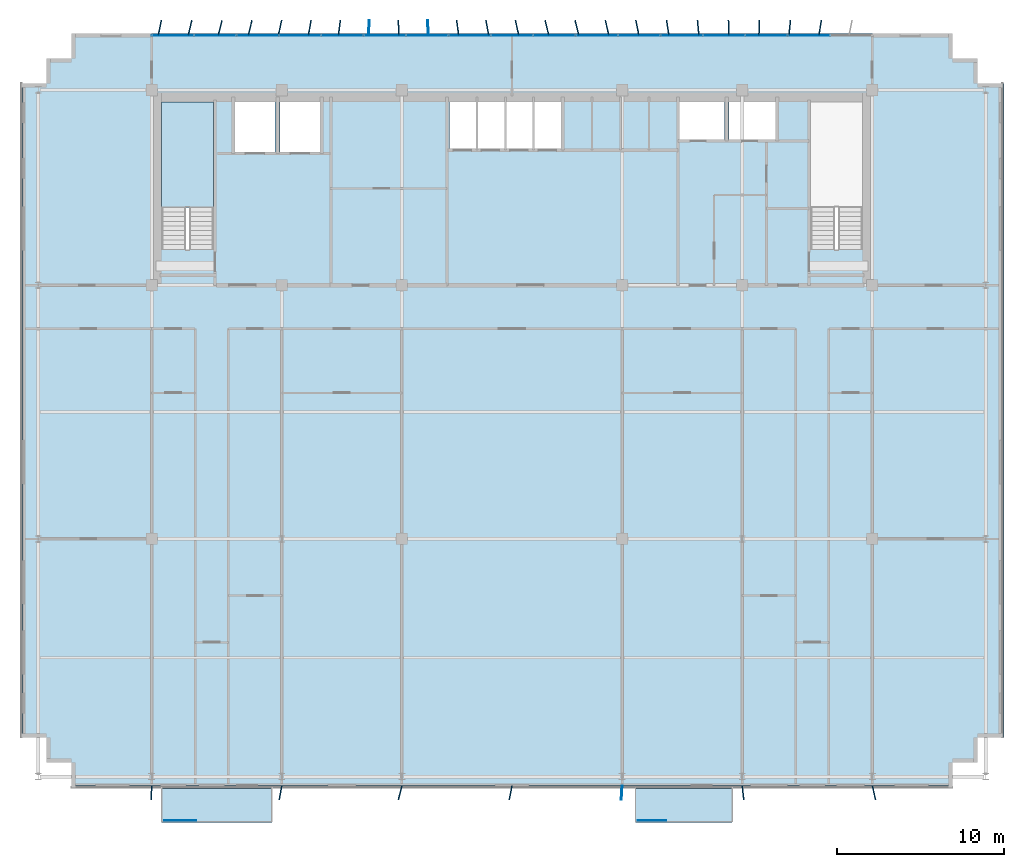
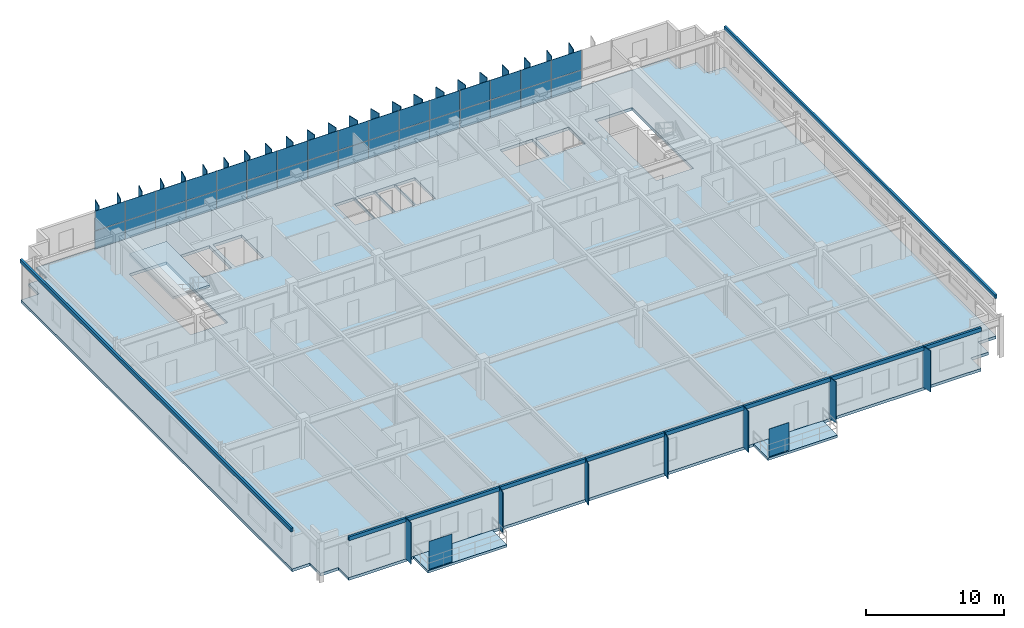
# One storey, part 13 of 20: 67 plates, 4 slabs, 2 elements without a shape of their own.
"""IFC4 building model written with IfcOpenShell, lengths in metres."""

from ifc_helpers import new_model, si_unit, direction, frame, origin, origin_2d, place, context, subcontext, project, spatial, polyline, rectangle, outline, extrude, source, transform, mapped, material, layer, layer_set, type_object, element, aggregate, save


model = new_model("IFC4")

# Units and contexts
model_context = context("Model", 3, precision=1e-05, world=origin(), true_north=direction((0.0, 1.0)))
body_context = subcontext(model_context, "Body", "Model", "MODEL_VIEW")
ifc_project = project(units=[si_unit("LENGTHUNIT", "METRE"), si_unit("AREAUNIT", "SQUARE_METRE"), si_unit("VOLUMEUNIT", "CUBIC_METRE"), si_unit("PLANEANGLEUNIT", "RADIAN"), si_unit("MASSUNIT", "GRAM", prefix="KILO")], contexts=[model_context])

# Site, building, storey
site_placement = place(None, origin())
site = spatial("IfcSite", under=ifc_project, at=site_placement, CompositionType="ELEMENT")
building_placement = place(site_placement, origin())
building = spatial("IfcBuilding", under=site, at=building_placement, Name="Trelvane Seafront Commons", CompositionType="ELEMENT")
storey_placement = place(building_placement, frame((0.0, 0.0, 146.5)))
storey = spatial("IfcBuildingStorey", under=building, at=storey_placement, Name="L38", CompositionType="ELEMENT", Elevation=146.5)

# Slabs
ifc_material_1 = material(Name="Concrete C40/50", Category="concrete")
ifc_layer_1 = layer(ifc_material_1, 0.219970703125, Name="ARCH-BALC-220")
ifc_layer_set_1 = layer_set([ifc_layer_1], Name="Concrete C40/50")
slab_type_1 = type_object("IfcSlabType", Name="ARCH-BALC-220", PredefinedType="FLOOR", material=ifc_layer_set_1)
slab_1_placement = place(storey_placement, frame((0.0, 0.0, -0.219970703125)))
element("IfcSlab", 1, at=slab_1_placement, inside=storey, type_object=slab_type_1, Name="L38 Cantilevered Tree Balcony Loggia 1", PredefinedType="FLOOR", context=body_context, shape_type="SweptSolid", body=[
    extrude(outline(polyline([(16.199951171875, 1.199951171875), (22.800048828125, 1.199951171875), (22.800048828125, 3.300048828125), (16.199951171875, 3.300048828125), (16.199951171875, 1.199951171875)])), origin(), (0.0, 0.0, 1.0), 0.219970703125),
])
slab_2_placement = place(storey_placement, frame((0.0, 0.0, -0.219970703125)))
element("IfcSlab", 2, at=slab_2_placement, inside=storey, type_object=slab_type_1, Name="L38 Cantilevered Tree Balcony Loggia 2", PredefinedType="FLOOR", context=body_context, shape_type="SweptSolid", body=[
    extrude(outline(polyline([(44.60009765625, 1.199951171875), (50.39990234375, 1.199951171875), (50.39990234375, 3.300048828125), (44.60009765625, 3.300048828125), (44.60009765625, 1.199951171875)])), origin(), (0.0, 0.0, 1.0), 0.219970703125),
])

# Stair, slab
stair_type = type_object("IfcStairType", Name="ARCH-STR-ST-1-R20-180", PredefinedType="HALF_TURN_STAIR", material=ifc_material_1)
stair_placement = place(storey_placement, origin())
stair = element("IfcStair", 3, at=stair_placement, inside=storey, type_object=stair_type, Name="L38 West Protected Firefighting Exit Stair ST-1", PredefinedType="HALF_TURN_STAIR")
ifc_layer_2 = layer(ifc_material_1, 0.199951171875, Name="ARCH-LND-200")
ifc_layer_set_2 = layer_set([ifc_layer_2], Name="Concrete C40/50")
slab_type_2 = type_object("IfcSlabType", Name="ARCH-LND-200", PredefinedType="LANDING", material=ifc_layer_set_2)
slab_3_placement = place(storey_placement, frame((0.0, 0.0, 1.60009765625)))
slab_3 = element("IfcSlab", 4, at=slab_3_placement, type_object=slab_type_2, Name="ST-1 landing 1", PredefinedType="LANDING", context=body_context, shape_type="SweptSolid", body=[
    extrude(outline(polyline([(19.300048828125, 38.070068359375), (19.300048828125, 44.39990234375), (16.199951171875, 44.39990234375), (16.199951171875, 38.070068359375), (19.300048828125, 38.070068359375)])), origin(), (0.0, 0.0, 1.0), 0.199951171875),
])
aggregate(stair, [slab_3])

# Slab
ifc_material_2 = material(Name="Concrete C50/60", Category="concrete")
ifc_layer_3 = layer(ifc_material_2, 0.25, Name="STR-SLB-Z3-250")
ifc_layer_set_3 = layer_set([ifc_layer_3], Name="Concrete C50/60")
slab_type_3 = type_object("IfcSlabType", Name="STR-SLB-Z3-250", PredefinedType="FLOOR", material=ifc_layer_set_3)
slab_4_placement = place(storey_placement, frame((0.0, 0.0, -0.25)))
element("IfcSlab", 5, at=slab_4_placement, inside=storey, type_object=slab_type_3, Name="L38 Structural Floor Slab", PredefinedType="FLOOR", context=body_context, shape_type="SweptSolid", body=[
    extrude(outline(polyline([(10.800048828125, 3.300048828125), (63.60009765625, 3.300048828125), (63.60009765625, 4.800048828125), (65.10009765625, 4.800048828125), (65.10009765625, 6.300048828125), (66.60009765625, 6.300048828125), (66.60009765625, 45.5), (65.10009765625, 45.5), (65.10009765625, 47.0), (63.60009765625, 47.0), (63.60009765625, 48.5), (10.800048828125, 48.5), (10.800048828125, 47.0), (9.300048828125, 47.0), (9.300048828125, 45.5), (7.800048828125, 45.5), (7.800048828125, 6.300048828125), (9.300048828125, 6.300048828125), (9.300048828125, 4.800048828125), (10.800048828125, 4.800048828125), (10.800048828125, 3.300048828125)]), holes=[polyline([(19.300048828125, 35.550048828125), (16.199951171875, 35.550048828125), (16.199951171875, 44.39990234375), (19.300048828125, 44.39990234375), (19.300048828125, 35.550048828125)]), polyline([(58.199951171875, 35.550048828125), (55.10009765625, 35.550048828125), (55.10009765625, 44.39990234375), (58.199951171875, 44.39990234375), (58.199951171875, 35.550048828125)]), polyline([(23.0, 41.39990234375), (20.60009765625, 41.39990234375), (20.60009765625, 44.60009765625), (23.0, 44.60009765625), (23.0, 41.39990234375)]), polyline([(23.300048828125, 41.39990234375), (23.300048828125, 44.60009765625), (25.699951171875, 44.60009765625), (25.699951171875, 41.39990234375), (23.300048828125, 41.39990234375)]), polyline([(33.449951171875, 41.60009765625), (33.449951171875, 44.60009765625), (35.070068359375, 44.60009765625), (35.070068359375, 41.60009765625), (33.449951171875, 41.60009765625)]), polyline([(36.77001953125, 41.60009765625), (35.14990234375, 41.60009765625), (35.14990234375, 44.60009765625), (36.77001953125, 44.60009765625), (36.77001953125, 41.60009765625)]), polyline([(38.469970703125, 41.60009765625), (36.85009765625, 41.60009765625), (36.85009765625, 44.60009765625), (38.469970703125, 44.60009765625), (38.469970703125, 41.60009765625)]), polyline([(40.169921875, 41.60009765625), (38.550048828125, 41.60009765625), (38.550048828125, 44.60009765625), (40.169921875, 44.60009765625), (40.169921875, 41.60009765625)]), polyline([(47.25, 42.14990234375), (47.25, 44.550048828125), (49.949951171875, 44.550048828125), (49.949951171875, 42.14990234375), (47.25, 42.14990234375)]), polyline([(50.199951171875, 42.14990234375), (50.199951171875, 44.550048828125), (53.0, 44.550048828125), (53.0, 42.14990234375), (50.199951171875, 42.14990234375)])]), origin(), (0.0, 0.0, 1.0), 0.25),
])

# Plates
ifc_material_3 = material(Name="Perforated anodised aluminium screen", Category="aluminium")
ifc_layer_4 = layer(ifc_material_3, 0.01611328125, Name="ARCH-PLATE-SCREEN")
ifc_layer_set_4 = layer_set([ifc_layer_4], Name="Perforated anodised aluminium screen")
plate_type_1 = type_object("IfcPlateType", Name="ARCH-PLATE-SCREEN", PredefinedType="USERDEFINED", material=ifc_layer_set_4)
shared_shape_1 = source(origin(), body_context, "Body", "SweptSolid", [
    extrude(rectangle(XDim=1.9140625, YDim=0.01611328125, at=origin_2d()), origin(), (0.0, 0.0, 1.0), 2.449951171875),
])
plate_1_placement = place(storey_placement, frame((17.306884765625, 1.320068359375, 0.0), z_axis=(0.0, 0.0, 1.0), x_axis=(1.0, 0.0, 0.0)))
element("IfcPlate", 6, at=plate_1_placement, inside=storey, type_object=plate_type_1, Name="SCR-L38-00139", ObjectType="SCREEN", PredefinedType="USERDEFINED", context=body_context, shape_type="MappedRepresentation", body=[
    mapped(shared_shape_1, transform((0.0, 0.0, 0.0), x_axis=(1.0, 0.0, 0.0), y_axis=(0.0, 1.0, 0.0), z_axis=(0.0, 0.0, 1.0), scale=1.0)),
])
shared_shape_2 = source(origin(), body_context, "Body", "SweptSolid", [
    extrude(rectangle(XDim=1.681884765625, YDim=0.01611328125, at=origin_2d()), origin(), (0.0, 0.0, 1.0), 2.449951171875),
])
plate_2_placement = place(storey_placement, frame((45.591064453125, 1.320068359375, 0.0), z_axis=(0.0, 0.0, 1.0), x_axis=(1.0, 0.0, 0.0)))
element("IfcPlate", 7, at=plate_2_placement, inside=storey, type_object=plate_type_1, Name="SCR-L38-00140", ObjectType="SCREEN", PredefinedType="USERDEFINED", context=body_context, shape_type="MappedRepresentation", body=[
    mapped(shared_shape_2, transform((0.0, 0.0, 0.0), x_axis=(1.0, 0.0, 0.0), y_axis=(0.0, 1.0, 0.0), z_axis=(0.0, 0.0, 1.0), scale=1.0)),
])
ifc_material_4 = material(Name="Anodised pale-silver aluminium", Category="aluminium")
ifc_layer_5 = layer(ifc_material_4, 0.06005859375, Name="ARCH-PLATE-FIN900")
ifc_layer_set_5 = layer_set([ifc_layer_5], Name="Anodised pale-silver aluminium")
plate_type_2 = type_object("IfcPlateType", Name="ARCH-PLATE-FIN900", PredefinedType="USERDEFINED", material=ifc_layer_set_5)
shared_shape_3 = source(origin(), body_context, "Body", "SweptSolid", [
    extrude(rectangle(XDim=0.89990234375, YDim=0.06005859375, at=origin_2d()), origin(), (0.0, 0.0, 1.0), 3.639892578125),
])
for number, where, z_axis, x_axis, name in (
    (8, (16.090576171875, 48.8408203125, -0.02001953125), (0.0, 0.0, 1.0), (0.201113824319, 0.979567879051, 0.0), "FIN-L38-01030"),
    (9, (17.9033203125, 48.837890625, -0.02001953125), (0.0, 0.0, 1.0), (0.229783061299, 0.973241873709, 0.0), "FIN-L38-01031"),
    (10, (19.708740234375, 48.836669921875, -0.02001953125), (0.0, 0.0, 1.0), (0.24167294527, 0.970357762645, 0.0), "FIN-L38-01032"),
    (11, (21.506103515625, 48.83740234375, -0.02001953125), (0.0, 0.0, 1.0), (0.235890152234, 0.97177972611, 0.0), "FIN-L38-01033"),
    (12, (23.2958984375, 48.839599609375, -0.02001953125), (0.0, 0.0, 1.0), (0.212882025658, 0.977077910482, 0.0), "FIN-L38-01034"),
    (13, (25.078369140625, 48.843017578125, -0.02001953125), (0.0, 0.0, 1.0), (0.174229106475, 0.984705142902, 0.0), "FIN-L38-01035"),
    (14, (26.85498046875, 48.8466796875, -0.02001953125), (0.0, 0.0, 1.0), (0.12233878843, 0.992488398343, 0.0), "FIN-L38-01036"),
    (15, (28.62744140625, 48.84912109375, -0.02001953125), (0.0, 0.0, 1.0), (0.061001503473, 0.998137674158, 0.0), "FIN-L38-01037"),
    (16, (30.397705078125, 48.85009765625, -0.02001953125), (0.0, 0.0, 1.0), (-0.005000347469, 0.999987498184, 0.0), "FIN-L38-01038"),
    (17, (32.168212890625, 48.848876953125, -0.02001953125), (0.0, 0.0, 1.0), (-0.070670510134, 0.997499713783, 0.0), "FIN-L38-01039"),
    (18, (33.941162109375, 48.84619140625, -0.02001953125), (0.0, 0.0, 1.0), (-0.130882645706, 0.991397868191, 0.0), "FIN-L38-01040"),
    (19, (35.718505859375, 48.842529296875, -0.02001953125), (0.0, 0.0, 1.0), (-0.181006653375, 0.983481871431, 0.0), "FIN-L38-01041"),
    (20, (37.502197265625, 48.839111328125, -0.02001953125), (0.0, 0.0, 1.0), (-0.217436316366, 0.976074509617, 0.0), "FIN-L38-01042"),
    (21, (39.29296875, 48.837158203125, -0.02001953125), (0.0, 0.0, 1.0), (-0.237879153157, 0.971294758811, 0.0), "FIN-L38-01043"),
    (22, (41.091552734375, 48.836669921875, -0.02001953125), (0.0, 0.0, 1.0), (-0.240992061138, 0.970527086932, 0.0), "FIN-L38-01044"),
    (23, (42.89794921875, 48.83837890625, -0.02001953125), (0.0, 0.0, 1.0), (-0.226554411517, 0.973998510585, 0.0), "FIN-L38-01045"),
    (24, (46.53271484375, 48.844970703125, -0.02001953125), (0.0, 0.0, 1.0), (-0.149661318726, 0.988737320868, 0.0), "FIN-L38-01047"),
    (25, (48.3583984375, 48.84814453125, -0.02001953125), (0.0, 0.0, 1.0), (-0.092560013325, 0.995707107504, 0.0), "FIN-L38-01048"),
    (26, (50.187255859375, 48.849853515625, -0.02001953125), (0.0, 0.0, 1.0), (-0.028223461684, 0.999601638759, 0.0), "FIN-L38-01049"),
    (27, (52.01708984375, 48.849609375, -0.02001953125), (0.0, 0.0, 1.0), (0.038223868549, 0.999269200903, 0.0), "FIN-L38-01050"),
    (28, (53.845703125, 48.84765625, -0.02001953125), (0.0, 0.0, 1.0), (0.101780346821, 0.994806896338, 0.0), "FIN-L38-01051"),
    (29, (55.6708984375, 48.844482421875, -0.02001953125), (0.0, 0.0, 1.0), (0.157439383392, 0.987528653031, 0.0), "FIN-L38-01052"),
):
    element("IfcPlate", number, at=place(storey_placement, frame(where, z_axis=z_axis, x_axis=x_axis)), inside=storey, type_object=plate_type_2, Name=name, ObjectType="FIN", PredefinedType="USERDEFINED", context=body_context, shape_type="MappedRepresentation", body=[
        mapped(shared_shape_3, transform((0.0, 0.0, 0.0), x_axis=(1.0, 0.0, 0.0), y_axis=(0.0, 1.0, 0.0), z_axis=(0.0, 0.0, 1.0), scale=1.0)),
    ])
shared_shape_4 = source(origin(), body_context, "Body", "SweptSolid", [
    extrude(rectangle(XDim=0.900146484375, YDim=0.06005859375, at=origin_2d()), origin(), (0.0, 0.0, 1.0), 3.639892578125),
])
plate_3_placement = place(storey_placement, frame((44.7119140625, 48.84130859375, -0.02001953125), z_axis=(0.0, 0.0, 1.0), x_axis=(-0.195432668772, 0.980717121283, 0.0)))
element("IfcPlate", 30, at=plate_3_placement, inside=storey, type_object=plate_type_2, Name="FIN-L38-01046", ObjectType="FIN", PredefinedType="USERDEFINED", context=body_context, shape_type="MappedRepresentation", body=[
    mapped(shared_shape_4, transform((0.0, 0.0, 0.0), x_axis=(1.0, 0.0, 0.0), y_axis=(0.0, 1.0, 0.0), z_axis=(0.0, 0.0, 1.0), scale=1.0)),
])
shared_shape_5 = source(origin(), body_context, "Body", "SweptSolid", [
    extrude(rectangle(XDim=0.85009765625, YDim=0.06005859375, at=origin_2d()), origin(), (0.0, 0.0, 1.0), 3.639892578125),
])
for number, where, z_axis, x_axis, name in (
    (31, (15.589111328125, 2.97509765625, -0.02001953125), (0.0, 0.0, 1.0), (-0.025882087605, -0.999665002659, 0.0), "FIN-S-L38-01054"),
    (32, (23.325439453125, 2.981689453125, -0.02001953125), (0.0, 0.0, 1.0), (-0.175416556051, -0.984494302606, 0.0), "FIN-S-L38-01055"),
    (33, (30.497314453125, 2.987548828125, -0.02001953125), (0.0, 0.0, 1.0), (-0.241400267132, -0.970425633951, 0.0), "FIN-S-L38-01056"),
    (34, (37.116943359375, 2.983154296875, -0.02001953125), (0.0, 0.0, 1.0), (-0.195415551999, -0.980720532077, 0.0), "FIN-S-L38-01057"),
    (35, (43.77587890625, 2.9755859375, -0.02001953125), (0.0, 0.0, 1.0), (-0.056941966468, -0.998377489958, 0.0), "FIN-S-L38-01058"),
    (36, (51.04638671875, 2.9775390625, -0.02001953125), (0.0, 0.0, 1.0), (0.109179161483, -0.994022087631, 0.0), "FIN-S-L38-01059"),
    (37, (58.89453125, 2.985595703125, -0.02001953125), (0.0, 0.0, 1.0), (0.22258146081, -0.974914095346, 0.0), "FIN-S-L38-01060"),
):
    element("IfcPlate", number, at=place(storey_placement, frame(where, z_axis=z_axis, x_axis=x_axis)), inside=storey, type_object=plate_type_2, Name=name, ObjectType="FIN", PredefinedType="USERDEFINED", context=body_context, shape_type="MappedRepresentation", body=[
        mapped(shared_shape_5, transform((0.0, 0.0, 0.0), x_axis=(1.0, 0.0, 0.0), y_axis=(0.0, 1.0, 0.0), z_axis=(0.0, 0.0, 1.0), scale=1.0)),
    ])

# Curtain wall, plates
curtain_wall_type = type_object("IfcCurtainWallType", Name="ARCH-CW5-UPTOWER", PredefinedType="NOTDEFINED", material=ifc_material_4)
curtain_wall_placement = place(storey_placement, origin())
curtain_wall = element("IfcCurtainWall", 38, at=curtain_wall_placement, inside=storey, type_object=curtain_wall_type, Name="CW-L38-0065", PredefinedType="NOTDEFINED")
ifc_material_5 = material(Name="Low-E coastal double glazing", Category="glass")
ifc_layer_6 = layer(ifc_material_5, 0.033935546875, Name="ARCH-CW-GLAZ-34")
ifc_layer_set_6 = layer_set([ifc_layer_6], Name="Low-E coastal double glazing")
plate_type_3 = type_object("IfcPlateType", Name="ARCH-CW-GLAZ-34", PredefinedType="CURTAIN_PANEL", material=ifc_layer_set_6)
shared_shape_6 = source(origin(), body_context, "Body", "SweptSolid", [
    extrude(rectangle(XDim=2.51708984375, YDim=0.033935546875, at=origin_2d()), origin(), (0.0, 0.0, 1.0), 1.590087890625),
])
plate_4_placement = place(storey_placement, frame((16.87060546875, 48.3701171875, 0.0), z_axis=(0.0, 0.0, 1.0), x_axis=(1.0, 0.0, 0.0)))
plate_4 = element("IfcPlate", 39, at=plate_4_placement, type_object=plate_type_3, Name="CW-L38-0065-P00-1", PredefinedType="CURTAIN_PANEL", context=body_context, shape_type="MappedRepresentation", body=[
    mapped(shared_shape_6, transform((0.0, 0.0, 0.0), x_axis=(1.0, 0.0, 0.0), y_axis=(0.0, 1.0, 0.0), z_axis=(0.0, 0.0, 1.0), scale=1.0)),
])
plate_5_placement = place(storey_placement, frame((19.411865234375, 48.3701171875, 0.0), z_axis=(0.0, 0.0, 1.0), x_axis=(1.0, 0.0, 0.0)))
plate_5 = element("IfcPlate", 40, at=plate_5_placement, type_object=plate_type_3, Name="CW-L38-0065-P01-1", PredefinedType="CURTAIN_PANEL", context=body_context, shape_type="MappedRepresentation", body=[
    mapped(shared_shape_6, transform((0.0, 0.0, 0.0), x_axis=(1.0, 0.0, 0.0), y_axis=(0.0, 1.0, 0.0), z_axis=(0.0, 0.0, 1.0), scale=1.0)),
])
plate_6_placement = place(storey_placement, frame((21.952880859375, 48.3701171875, 0.0), z_axis=(0.0, 0.0, 1.0), x_axis=(1.0, 0.0, 0.0)))
plate_6 = element("IfcPlate", 41, at=plate_6_placement, type_object=plate_type_3, Name="CW-L38-0065-P02-1", PredefinedType="CURTAIN_PANEL", context=body_context, shape_type="MappedRepresentation", body=[
    mapped(shared_shape_6, transform((0.0, 0.0, 0.0), x_axis=(1.0, 0.0, 0.0), y_axis=(0.0, 1.0, 0.0), z_axis=(0.0, 0.0, 1.0), scale=1.0)),
])
plate_7_placement = place(storey_placement, frame((24.494140625, 48.3701171875, 0.0), z_axis=(0.0, 0.0, 1.0), x_axis=(1.0, 0.0, 0.0)))
plate_7 = element("IfcPlate", 42, at=plate_7_placement, type_object=plate_type_3, Name="CW-L38-0065-P03-1", PredefinedType="CURTAIN_PANEL", context=body_context, shape_type="MappedRepresentation", body=[
    mapped(shared_shape_6, transform((0.0, 0.0, 0.0), x_axis=(1.0, 0.0, 0.0), y_axis=(0.0, 1.0, 0.0), z_axis=(0.0, 0.0, 1.0), scale=1.0)),
])
plate_8_placement = place(storey_placement, frame((27.035400390625, 48.3701171875, 0.0), z_axis=(0.0, 0.0, 1.0), x_axis=(1.0, 0.0, 0.0)))
plate_8 = element("IfcPlate", 43, at=plate_8_placement, type_object=plate_type_3, Name="CW-L38-0065-P04-1", PredefinedType="CURTAIN_PANEL", context=body_context, shape_type="MappedRepresentation", body=[
    mapped(shared_shape_6, transform((0.0, 0.0, 0.0), x_axis=(1.0, 0.0, 0.0), y_axis=(0.0, 1.0, 0.0), z_axis=(0.0, 0.0, 1.0), scale=1.0)),
])
plate_9_placement = place(storey_placement, frame((29.576416015625, 48.3701171875, 0.0), z_axis=(0.0, 0.0, 1.0), x_axis=(1.0, 0.0, 0.0)))
plate_9 = element("IfcPlate", 44, at=plate_9_placement, type_object=plate_type_3, Name="CW-L38-0065-P05-1", PredefinedType="CURTAIN_PANEL", context=body_context, shape_type="MappedRepresentation", body=[
    mapped(shared_shape_6, transform((0.0, 0.0, 0.0), x_axis=(1.0, 0.0, 0.0), y_axis=(0.0, 1.0, 0.0), z_axis=(0.0, 0.0, 1.0), scale=1.0)),
])
plate_10_placement = place(storey_placement, frame((32.11767578125, 48.3701171875, 0.0), z_axis=(0.0, 0.0, 1.0), x_axis=(1.0, 0.0, 0.0)))
plate_10 = element("IfcPlate", 45, at=plate_10_placement, type_object=plate_type_3, Name="CW-L38-0065-P06-1", PredefinedType="CURTAIN_PANEL", context=body_context, shape_type="MappedRepresentation", body=[
    mapped(shared_shape_6, transform((0.0, 0.0, 0.0), x_axis=(1.0, 0.0, 0.0), y_axis=(0.0, 1.0, 0.0), z_axis=(0.0, 0.0, 1.0), scale=1.0)),
])
plate_11_placement = place(storey_placement, frame((34.65869140625, 48.3701171875, 0.0), z_axis=(0.0, 0.0, 1.0), x_axis=(1.0, 0.0, 0.0)))
plate_11 = element("IfcPlate", 46, at=plate_11_placement, type_object=plate_type_3, Name="CW-L38-0065-P07-1", PredefinedType="CURTAIN_PANEL", context=body_context, shape_type="MappedRepresentation", body=[
    mapped(shared_shape_6, transform((0.0, 0.0, 0.0), x_axis=(1.0, 0.0, 0.0), y_axis=(0.0, 1.0, 0.0), z_axis=(0.0, 0.0, 1.0), scale=1.0)),
])
plate_12_placement = place(storey_placement, frame((37.199951171875, 48.3701171875, 0.0), z_axis=(0.0, 0.0, 1.0), x_axis=(1.0, 0.0, 0.0)))
plate_12 = element("IfcPlate", 47, at=plate_12_placement, type_object=plate_type_3, Name="CW-L38-0065-P08-1", PredefinedType="CURTAIN_PANEL", context=body_context, shape_type="MappedRepresentation", body=[
    mapped(shared_shape_6, transform((0.0, 0.0, 0.0), x_axis=(1.0, 0.0, 0.0), y_axis=(0.0, 1.0, 0.0), z_axis=(0.0, 0.0, 1.0), scale=1.0)),
])
plate_13_placement = place(storey_placement, frame((39.7412109375, 48.3701171875, 0.0), z_axis=(0.0, 0.0, 1.0), x_axis=(1.0, 0.0, 0.0)))
plate_13 = element("IfcPlate", 48, at=plate_13_placement, type_object=plate_type_3, Name="CW-L38-0065-P09-1", PredefinedType="CURTAIN_PANEL", context=body_context, shape_type="MappedRepresentation", body=[
    mapped(shared_shape_6, transform((0.0, 0.0, 0.0), x_axis=(1.0, 0.0, 0.0), y_axis=(0.0, 1.0, 0.0), z_axis=(0.0, 0.0, 1.0), scale=1.0)),
])
plate_14_placement = place(storey_placement, frame((42.282470703125, 48.3701171875, 0.0), z_axis=(0.0, 0.0, 1.0), x_axis=(1.0, 0.0, 0.0)))
plate_14 = element("IfcPlate", 49, at=plate_14_placement, type_object=plate_type_3, Name="CW-L38-0065-P10-1", PredefinedType="CURTAIN_PANEL", context=body_context, shape_type="MappedRepresentation", body=[
    mapped(shared_shape_6, transform((0.0, 0.0, 0.0), x_axis=(1.0, 0.0, 0.0), y_axis=(0.0, 1.0, 0.0), z_axis=(0.0, 0.0, 1.0), scale=1.0)),
])
plate_15_placement = place(storey_placement, frame((44.823486328125, 48.3701171875, 0.0), z_axis=(0.0, 0.0, 1.0), x_axis=(1.0, 0.0, 0.0)))
plate_15 = element("IfcPlate", 50, at=plate_15_placement, type_object=plate_type_3, Name="CW-L38-0065-P11-1", PredefinedType="CURTAIN_PANEL", context=body_context, shape_type="MappedRepresentation", body=[
    mapped(shared_shape_6, transform((0.0, 0.0, 0.0), x_axis=(1.0, 0.0, 0.0), y_axis=(0.0, 1.0, 0.0), z_axis=(0.0, 0.0, 1.0), scale=1.0)),
])
plate_16_placement = place(storey_placement, frame((47.36474609375, 48.3701171875, 0.0), z_axis=(0.0, 0.0, 1.0), x_axis=(1.0, 0.0, 0.0)))
plate_16 = element("IfcPlate", 51, at=plate_16_placement, type_object=plate_type_3, Name="CW-L38-0065-P12-1", PredefinedType="CURTAIN_PANEL", context=body_context, shape_type="MappedRepresentation", body=[
    mapped(shared_shape_6, transform((0.0, 0.0, 0.0), x_axis=(1.0, 0.0, 0.0), y_axis=(0.0, 1.0, 0.0), z_axis=(0.0, 0.0, 1.0), scale=1.0)),
])
plate_17_placement = place(storey_placement, frame((49.906005859375, 48.3701171875, 0.0), z_axis=(0.0, 0.0, 1.0), x_axis=(1.0, 0.0, 0.0)))
plate_17 = element("IfcPlate", 52, at=plate_17_placement, type_object=plate_type_3, Name="CW-L38-0065-P13-1", PredefinedType="CURTAIN_PANEL", context=body_context, shape_type="MappedRepresentation", body=[
    mapped(shared_shape_6, transform((0.0, 0.0, 0.0), x_axis=(1.0, 0.0, 0.0), y_axis=(0.0, 1.0, 0.0), z_axis=(0.0, 0.0, 1.0), scale=1.0)),
])
plate_18_placement = place(storey_placement, frame((52.447021484375, 48.3701171875, 0.0), z_axis=(0.0, 0.0, 1.0), x_axis=(1.0, 0.0, 0.0)))
plate_18 = element("IfcPlate", 53, at=plate_18_placement, type_object=plate_type_3, Name="CW-L38-0065-P14-1", PredefinedType="CURTAIN_PANEL", context=body_context, shape_type="MappedRepresentation", body=[
    mapped(shared_shape_6, transform((0.0, 0.0, 0.0), x_axis=(1.0, 0.0, 0.0), y_axis=(0.0, 1.0, 0.0), z_axis=(0.0, 0.0, 1.0), scale=1.0)),
])
plate_19_placement = place(storey_placement, frame((54.98828125, 48.3701171875, 0.0), z_axis=(0.0, 0.0, 1.0), x_axis=(1.0, 0.0, 0.0)))
plate_19 = element("IfcPlate", 54, at=plate_19_placement, type_object=plate_type_3, Name="CW-L38-0065-P15-1", PredefinedType="CURTAIN_PANEL", context=body_context, shape_type="MappedRepresentation", body=[
    mapped(shared_shape_6, transform((0.0, 0.0, 0.0), x_axis=(1.0, 0.0, 0.0), y_axis=(0.0, 1.0, 0.0), z_axis=(0.0, 0.0, 1.0), scale=1.0)),
])
shared_shape_7 = source(origin(), body_context, "Body", "SweptSolid", [
    extrude(rectangle(XDim=2.51708984375, YDim=0.033935546875, at=origin_2d()), origin(), (0.0, 0.0, 1.0), 1.72412109375),
])
plate_20_placement = place(storey_placement, frame((16.87060546875, 48.3701171875, 1.6259765625), z_axis=(0.0, 0.0, 1.0), x_axis=(1.0, 0.0, 0.0)))
plate_20 = element("IfcPlate", 55, at=plate_20_placement, type_object=plate_type_3, Name="CW-L38-0065-P00-2", PredefinedType="CURTAIN_PANEL", context=body_context, shape_type="MappedRepresentation", body=[
    mapped(shared_shape_7, transform((0.0, 0.0, 0.0), x_axis=(1.0, 0.0, 0.0), y_axis=(0.0, 1.0, 0.0), z_axis=(0.0, 0.0, 1.0), scale=1.0)),
])
plate_21_placement = place(storey_placement, frame((19.411865234375, 48.3701171875, 1.6259765625), z_axis=(0.0, 0.0, 1.0), x_axis=(1.0, 0.0, 0.0)))
plate_21 = element("IfcPlate", 56, at=plate_21_placement, type_object=plate_type_3, Name="CW-L38-0065-P01-2", PredefinedType="CURTAIN_PANEL", context=body_context, shape_type="MappedRepresentation", body=[
    mapped(shared_shape_7, transform((0.0, 0.0, 0.0), x_axis=(1.0, 0.0, 0.0), y_axis=(0.0, 1.0, 0.0), z_axis=(0.0, 0.0, 1.0), scale=1.0)),
])
plate_22_placement = place(storey_placement, frame((21.952880859375, 48.3701171875, 1.6259765625), z_axis=(0.0, 0.0, 1.0), x_axis=(1.0, 0.0, 0.0)))
plate_22 = element("IfcPlate", 57, at=plate_22_placement, type_object=plate_type_3, Name="CW-L38-0065-P02-2", PredefinedType="CURTAIN_PANEL", context=body_context, shape_type="MappedRepresentation", body=[
    mapped(shared_shape_7, transform((0.0, 0.0, 0.0), x_axis=(1.0, 0.0, 0.0), y_axis=(0.0, 1.0, 0.0), z_axis=(0.0, 0.0, 1.0), scale=1.0)),
])
plate_23_placement = place(storey_placement, frame((24.494140625, 48.3701171875, 1.6259765625), z_axis=(0.0, 0.0, 1.0), x_axis=(1.0, 0.0, 0.0)))
plate_23 = element("IfcPlate", 58, at=plate_23_placement, type_object=plate_type_3, Name="CW-L38-0065-P03-2", PredefinedType="CURTAIN_PANEL", context=body_context, shape_type="MappedRepresentation", body=[
    mapped(shared_shape_7, transform((0.0, 0.0, 0.0), x_axis=(1.0, 0.0, 0.0), y_axis=(0.0, 1.0, 0.0), z_axis=(0.0, 0.0, 1.0), scale=1.0)),
])
plate_24_placement = place(storey_placement, frame((27.035400390625, 48.3701171875, 1.6259765625), z_axis=(0.0, 0.0, 1.0), x_axis=(1.0, 0.0, 0.0)))
plate_24 = element("IfcPlate", 59, at=plate_24_placement, type_object=plate_type_3, Name="CW-L38-0065-P04-2", PredefinedType="CURTAIN_PANEL", context=body_context, shape_type="MappedRepresentation", body=[
    mapped(shared_shape_7, transform((0.0, 0.0, 0.0), x_axis=(1.0, 0.0, 0.0), y_axis=(0.0, 1.0, 0.0), z_axis=(0.0, 0.0, 1.0), scale=1.0)),
])
plate_25_placement = place(storey_placement, frame((29.576416015625, 48.3701171875, 1.6259765625), z_axis=(0.0, 0.0, 1.0), x_axis=(1.0, 0.0, 0.0)))
plate_25 = element("IfcPlate", 60, at=plate_25_placement, type_object=plate_type_3, Name="CW-L38-0065-P05-2", PredefinedType="CURTAIN_PANEL", context=body_context, shape_type="MappedRepresentation", body=[
    mapped(shared_shape_7, transform((0.0, 0.0, 0.0), x_axis=(1.0, 0.0, 0.0), y_axis=(0.0, 1.0, 0.0), z_axis=(0.0, 0.0, 1.0), scale=1.0)),
])
plate_26_placement = place(storey_placement, frame((32.11767578125, 48.3701171875, 1.6259765625), z_axis=(0.0, 0.0, 1.0), x_axis=(1.0, 0.0, 0.0)))
plate_26 = element("IfcPlate", 61, at=plate_26_placement, type_object=plate_type_3, Name="CW-L38-0065-P06-2", PredefinedType="CURTAIN_PANEL", context=body_context, shape_type="MappedRepresentation", body=[
    mapped(shared_shape_7, transform((0.0, 0.0, 0.0), x_axis=(1.0, 0.0, 0.0), y_axis=(0.0, 1.0, 0.0), z_axis=(0.0, 0.0, 1.0), scale=1.0)),
])
plate_27_placement = place(storey_placement, frame((34.65869140625, 48.3701171875, 1.6259765625), z_axis=(0.0, 0.0, 1.0), x_axis=(1.0, 0.0, 0.0)))
plate_27 = element("IfcPlate", 62, at=plate_27_placement, type_object=plate_type_3, Name="CW-L38-0065-P07-2", PredefinedType="CURTAIN_PANEL", context=body_context, shape_type="MappedRepresentation", body=[
    mapped(shared_shape_7, transform((0.0, 0.0, 0.0), x_axis=(1.0, 0.0, 0.0), y_axis=(0.0, 1.0, 0.0), z_axis=(0.0, 0.0, 1.0), scale=1.0)),
])
plate_28_placement = place(storey_placement, frame((37.199951171875, 48.3701171875, 1.6259765625), z_axis=(0.0, 0.0, 1.0), x_axis=(1.0, 0.0, 0.0)))
plate_28 = element("IfcPlate", 63, at=plate_28_placement, type_object=plate_type_3, Name="CW-L38-0065-P08-2", PredefinedType="CURTAIN_PANEL", context=body_context, shape_type="MappedRepresentation", body=[
    mapped(shared_shape_7, transform((0.0, 0.0, 0.0), x_axis=(1.0, 0.0, 0.0), y_axis=(0.0, 1.0, 0.0), z_axis=(0.0, 0.0, 1.0), scale=1.0)),
])
plate_29_placement = place(storey_placement, frame((39.7412109375, 48.3701171875, 1.6259765625), z_axis=(0.0, 0.0, 1.0), x_axis=(1.0, 0.0, 0.0)))
plate_29 = element("IfcPlate", 64, at=plate_29_placement, type_object=plate_type_3, Name="CW-L38-0065-P09-2", PredefinedType="CURTAIN_PANEL", context=body_context, shape_type="MappedRepresentation", body=[
    mapped(shared_shape_7, transform((0.0, 0.0, 0.0), x_axis=(1.0, 0.0, 0.0), y_axis=(0.0, 1.0, 0.0), z_axis=(0.0, 0.0, 1.0), scale=1.0)),
])
plate_30_placement = place(storey_placement, frame((42.282470703125, 48.3701171875, 1.6259765625), z_axis=(0.0, 0.0, 1.0), x_axis=(1.0, 0.0, 0.0)))
plate_30 = element("IfcPlate", 65, at=plate_30_placement, type_object=plate_type_3, Name="CW-L38-0065-P10-2", PredefinedType="CURTAIN_PANEL", context=body_context, shape_type="MappedRepresentation", body=[
    mapped(shared_shape_7, transform((0.0, 0.0, 0.0), x_axis=(1.0, 0.0, 0.0), y_axis=(0.0, 1.0, 0.0), z_axis=(0.0, 0.0, 1.0), scale=1.0)),
])
plate_31_placement = place(storey_placement, frame((44.823486328125, 48.3701171875, 1.6259765625), z_axis=(0.0, 0.0, 1.0), x_axis=(1.0, 0.0, 0.0)))
plate_31 = element("IfcPlate", 66, at=plate_31_placement, type_object=plate_type_3, Name="CW-L38-0065-P11-2", PredefinedType="CURTAIN_PANEL", context=body_context, shape_type="MappedRepresentation", body=[
    mapped(shared_shape_7, transform((0.0, 0.0, 0.0), x_axis=(1.0, 0.0, 0.0), y_axis=(0.0, 1.0, 0.0), z_axis=(0.0, 0.0, 1.0), scale=1.0)),
])
plate_32_placement = place(storey_placement, frame((47.36474609375, 48.3701171875, 1.6259765625), z_axis=(0.0, 0.0, 1.0), x_axis=(1.0, 0.0, 0.0)))
plate_32 = element("IfcPlate", 67, at=plate_32_placement, type_object=plate_type_3, Name="CW-L38-0065-P12-2", PredefinedType="CURTAIN_PANEL", context=body_context, shape_type="MappedRepresentation", body=[
    mapped(shared_shape_7, transform((0.0, 0.0, 0.0), x_axis=(1.0, 0.0, 0.0), y_axis=(0.0, 1.0, 0.0), z_axis=(0.0, 0.0, 1.0), scale=1.0)),
])
plate_33_placement = place(storey_placement, frame((49.906005859375, 48.3701171875, 1.6259765625), z_axis=(0.0, 0.0, 1.0), x_axis=(1.0, 0.0, 0.0)))
plate_33 = element("IfcPlate", 68, at=plate_33_placement, type_object=plate_type_3, Name="CW-L38-0065-P13-2", PredefinedType="CURTAIN_PANEL", context=body_context, shape_type="MappedRepresentation", body=[
    mapped(shared_shape_7, transform((0.0, 0.0, 0.0), x_axis=(1.0, 0.0, 0.0), y_axis=(0.0, 1.0, 0.0), z_axis=(0.0, 0.0, 1.0), scale=1.0)),
])
plate_34_placement = place(storey_placement, frame((52.447021484375, 48.3701171875, 1.6259765625), z_axis=(0.0, 0.0, 1.0), x_axis=(1.0, 0.0, 0.0)))
plate_34 = element("IfcPlate", 69, at=plate_34_placement, type_object=plate_type_3, Name="CW-L38-0065-P14-2", PredefinedType="CURTAIN_PANEL", context=body_context, shape_type="MappedRepresentation", body=[
    mapped(shared_shape_7, transform((0.0, 0.0, 0.0), x_axis=(1.0, 0.0, 0.0), y_axis=(0.0, 1.0, 0.0), z_axis=(0.0, 0.0, 1.0), scale=1.0)),
])
plate_35_placement = place(storey_placement, frame((54.98828125, 48.3701171875, 1.6259765625), z_axis=(0.0, 0.0, 1.0), x_axis=(1.0, 0.0, 0.0)))
plate_35 = element("IfcPlate", 70, at=plate_35_placement, type_object=plate_type_3, Name="CW-L38-0065-P15-2", PredefinedType="CURTAIN_PANEL", context=body_context, shape_type="MappedRepresentation", body=[
    mapped(shared_shape_7, transform((0.0, 0.0, 0.0), x_axis=(1.0, 0.0, 0.0), y_axis=(0.0, 1.0, 0.0), z_axis=(0.0, 0.0, 1.0), scale=1.0)),
])
aggregate(curtain_wall, [plate_4, plate_20, plate_5, plate_21, plate_6, plate_22, plate_7, plate_23, plate_8, plate_24, plate_9, plate_25, plate_10, plate_26, plate_11, plate_27, plate_12, plate_28, plate_13, plate_29, plate_14, plate_30, plate_15, plate_31, plate_16, plate_32, plate_17, plate_33, plate_18, plate_34, plate_19, plate_35])

# Plates
ifc_layer_7 = layer(ifc_material_4, 0.179931640625, Name="ARCH-PLATE-AERO")
ifc_layer_set_7 = layer_set([ifc_layer_7], Name="Anodised pale-silver aluminium")
plate_type_4 = type_object("IfcPlateType", Name="ARCH-PLATE-AERO", PredefinedType="SHEET", material=ifc_layer_set_7)
shared_shape_8 = source(origin(), body_context, "Body", "SweptSolid", [
    extrude(rectangle(XDim=39.199951171875, YDim=0.179931640625, at=origin_2d()), origin(), (0.0, 0.0, 1.0), 0.330078125),
])
for number, where, z_axis, x_axis, name in (
    (71, (7.800048828125, 25.89990234375, 3.2900390625), (0.0, 0.0, 1.0), (0.0, 1.0, 0.0), "AER-L38-00137"),
    (72, (66.60009765625, 25.89990234375, 3.2900390625), (0.0, 0.0, 1.0), (0.0, -1.0, 0.0), "AER-L38-00138"),
):
    element("IfcPlate", number, at=place(storey_placement, frame(where, z_axis=z_axis, x_axis=x_axis)), inside=storey, type_object=plate_type_4, Name=name, PredefinedType="SHEET", context=body_context, shape_type="MappedRepresentation", body=[
        mapped(shared_shape_8, transform((0.0, 0.0, 0.0), x_axis=(1.0, 0.0, 0.0), y_axis=(0.0, 1.0, 0.0), z_axis=(0.0, 0.0, 1.0), scale=1.0)),
    ])
shared_shape_9 = source(origin(), body_context, "Body", "SweptSolid", [
    extrude(rectangle(XDim=52.800048828125, YDim=0.179931640625, at=origin_2d()), origin(), (0.0, 0.0, 1.0), 0.330078125),
])
plate_36_placement = place(storey_placement, frame((37.199951171875, 3.340087890625, 3.2900390625), z_axis=(0.0, 0.0, 1.0), x_axis=(-1.0, 0.0, 0.0)))
element("IfcPlate", 73, at=plate_36_placement, inside=storey, type_object=plate_type_4, Name="AER-S-L38-00141", PredefinedType="SHEET", context=body_context, shape_type="MappedRepresentation", body=[
    mapped(shared_shape_9, transform((0.0, 0.0, 0.0), x_axis=(1.0, 0.0, 0.0), y_axis=(0.0, 1.0, 0.0), z_axis=(0.0, 0.0, 1.0), scale=1.0)),
])

save(model, "model.ifc")
